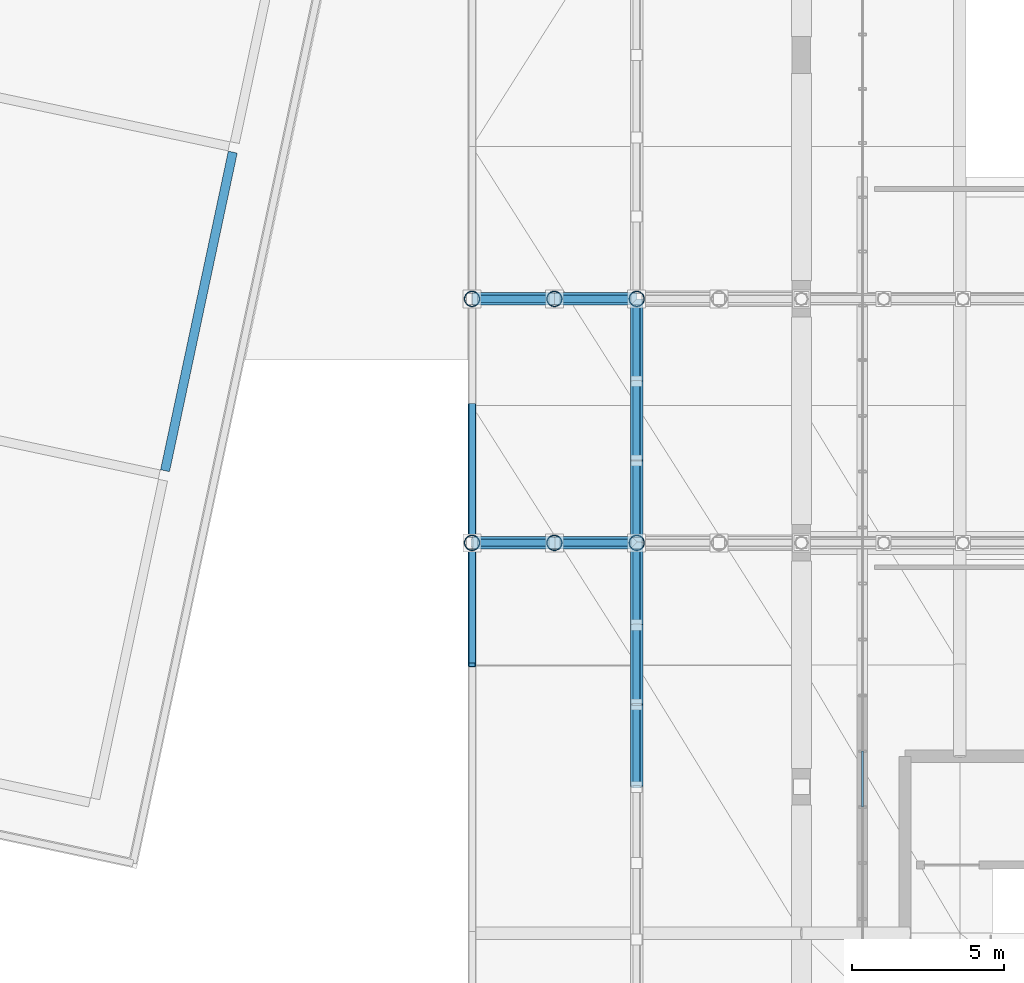
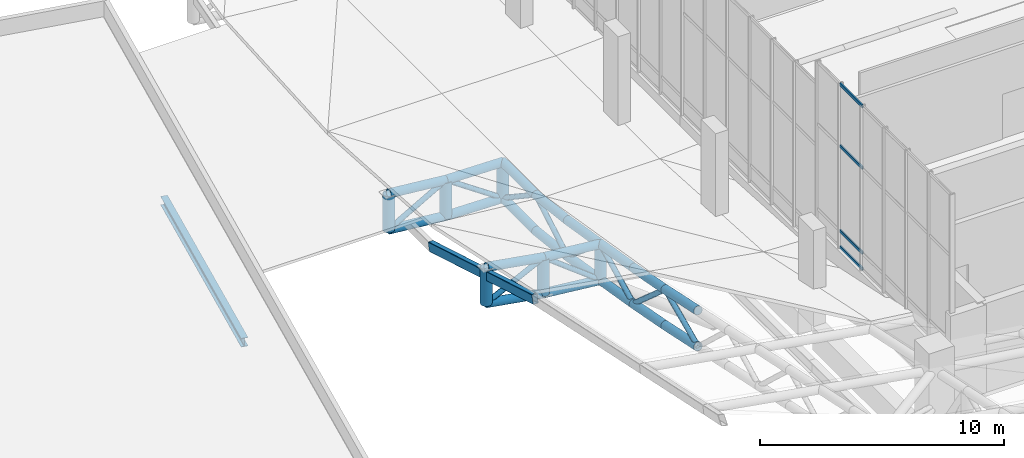
# One storey, part 14 of 137: 40 members, 2 beams, 1 element without a shape of its own.
"""IFC4 building model written with IfcOpenShell, lengths in metres."""

from ifc_helpers import new_model, si_unit, direction, frame, origin, origin_2d, place, context, subcontext, project, spatial, hollow_rectangle, hollow_circle, i_section, extrude, material, layer, layer_set, material_profile, profile_set, type_object, element, aggregate, save


model = new_model("IFC4")

# Units and contexts
model_context = context("Model", 3, precision=1e-05, world=origin(), true_north=direction((0.0, 1.0)))
body_context = subcontext(model_context, "Body", "Model", "MODEL_VIEW")
ifc_project = project(units=[si_unit("LENGTHUNIT", "METRE"), si_unit("AREAUNIT", "SQUARE_METRE"), si_unit("VOLUMEUNIT", "CUBIC_METRE"), si_unit("PLANEANGLEUNIT", "RADIAN"), si_unit("MASSUNIT", "GRAM", prefix="KILO")], contexts=[model_context])

# Site, building, storey
site_placement = place(None, origin())
site = spatial("IfcSite", under=ifc_project, at=site_placement, CompositionType="ELEMENT")
building_placement = place(site_placement, origin())
building = spatial("IfcBuilding", under=site, at=building_placement, Name="Khorjan Park Terminus", CompositionType="ELEMENT")
storey_placement = place(building_placement, frame((0.0, 0.0, 11.4)))
storey = spatial("IfcBuildingStorey", under=building, at=storey_placement, Name="L02", CompositionType="ELEMENT", Elevation=11.4)

# Beam
ifc_material_1 = material(Name="Steel S355", Category="steel")
ifc_material_profile_1 = material_profile(ifc_material_1, i_section(OverallWidth=0.3, OverallDepth=0.44, WebThickness=0.0115, FlangeThickness=0.021, FilletRadius=0.027, at=origin_2d()), Name="HEA 450")
ifc_profile_set_1 = profile_set([ifc_material_profile_1], Name="Steel S355")
beam_type_1 = type_object("IfcBeamType", Name="BM-HEA450", PredefinedType="BEAM", material=ifc_profile_set_1)
beam_1_placement = place(storey_placement, frame((27.1319, 46.3669, -0.22), z_axis=(0.20791228413, 0.978147474621, 0.0), x_axis=(-0.978147474621, 0.20791228413, 0.0)))
element("IfcBeam", 1, at=beam_1_placement, inside=storey, type_object=beam_type_1, Name="Pavilion flat roof girder SB-A45 (V2)", PredefinedType="BEAM", context=body_context, shape_type="SweptSolid", body=[
    extrude(i_section(OverallWidth=0.3, OverallDepth=0.44, WebThickness=0.0115, FlangeThickness=0.021, FilletRadius=0.027, at=origin_2d()), origin(), (0.0, 0.0, 1.0), 10.68),
])

# Members
ifc_material_profile_2 = material_profile(ifc_material_1, hollow_circle(Radius=0.1222, WallThickness=0.0125, at=origin_2d()), Name="CHS 244.5x12.5")
ifc_profile_set_2 = profile_set([ifc_material_profile_2], Name="Steel S355")
member_type_1 = type_object("IfcMemberType", Name="MB-BRE-245", PredefinedType="BRACE", material=ifc_profile_set_2)
member_1_placement = place(storey_placement, frame((37.2, 44.0, -0.342), z_axis=(0.895485989032, 0.0, 0.445089702697), x_axis=(0.0, 1.0, 0.0)))
element("IfcMember", 2, at=member_1_placement, inside=storey, type_object=member_type_1, Name="Lower shell W/E truss diagonal (W1)", PredefinedType="BRACE", context=body_context, shape_type="SweptSolid", body=[
    extrude(hollow_circle(Radius=0.1222, WallThickness=0.0125, at=origin_2d()), origin(), (0.0, 0.0, 1.0), 3.0151),
])
member_2_placement = place(storey_placement, frame((39.9, 44.0, 1.0), z_axis=(0.792655637511, 0.0, -0.609669615711), x_axis=(0.0, 1.0, 0.0)))
element("IfcMember", 3, at=member_2_placement, inside=storey, type_object=member_type_1, Name="Lower shell W/E truss diagonal (W1)", PredefinedType="BRACE", context=body_context, shape_type="SweptSolid", body=[
    extrude(hollow_circle(Radius=0.1222, WallThickness=0.0125, at=origin_2d()), origin(), (0.0, 0.0, 1.0), 3.4063),
])
member_3_placement = place(storey_placement, frame((37.2, 52.0, -1.5158), z_axis=(0.869386139688, 0.0, 0.49413332221), x_axis=(0.0, 1.0, 0.0)))
element("IfcMember", 4, at=member_3_placement, inside=storey, type_object=member_type_1, Name="Lower shell W/E truss diagonal (W2)", PredefinedType="BRACE", context=body_context, shape_type="SweptSolid", body=[
    extrude(hollow_circle(Radius=0.1222, WallThickness=0.0125, at=origin_2d()), origin(), (0.0, 0.0, 1.0), 3.1056),
])
member_4_placement = place(storey_placement, frame((39.9, 52.0, 0.0188), z_axis=(0.82538823425, 0.0, -0.564565552227), x_axis=(0.0, 1.0, 0.0)))
element("IfcMember", 5, at=member_4_placement, inside=storey, type_object=member_type_1, Name="Lower shell W/E truss diagonal (W2)", PredefinedType="BRACE", context=body_context, shape_type="SweptSolid", body=[
    extrude(hollow_circle(Radius=0.1222, WallThickness=0.0125, at=origin_2d()), origin(), (0.0, 0.0, 1.0), 3.2712),
])
member_5_placement = place(storey_placement, frame((42.6, 36.0, 0.4403), z_axis=(0.0, 0.910426516303, 0.413670833408), x_axis=(-1.0, 0.0, 0.0)))
element("IfcMember", 6, at=member_5_placement, inside=storey, type_object=member_type_1, Name="Lower shell mid-ring diagonal (W9)", PredefinedType="BRACE", context=body_context, shape_type="SweptSolid", body=[
    extrude(hollow_circle(Radius=0.1222, WallThickness=0.0125, at=origin_2d()), origin(), (0.0, 0.0, 1.0), 2.9656),
])
member_6_placement = place(storey_placement, frame((42.6, 38.7, 1.6671), z_axis=(0.0, 0.749997777608, -0.661440347713), x_axis=(-1.0, 0.0, 0.0)))
element("IfcMember", 7, at=member_6_placement, inside=storey, type_object=member_type_1, Name="Lower shell mid-ring diagonal (W10)", PredefinedType="BRACE", context=body_context, shape_type="SweptSolid", body=[
    extrude(hollow_circle(Radius=0.1222, WallThickness=0.0125, at=origin_2d()), origin(), (0.0, 0.0, 1.0), 3.4667),
])
member_7_placement = place(storey_placement, frame((42.6, 41.3, -0.6259), z_axis=(0.0, 0.894533184614, 0.447001545438), x_axis=(-1.0, 0.0, 0.0)))
element("IfcMember", 8, at=member_7_placement, inside=storey, type_object=member_type_1, Name="Lower shell mid-ring diagonal (W11)", PredefinedType="BRACE", context=body_context, shape_type="SweptSolid", body=[
    extrude(hollow_circle(Radius=0.1222, WallThickness=0.0125, at=origin_2d()), origin(), (0.0, 0.0, 1.0), 3.0183),
])
member_8_placement = place(storey_placement, frame((42.6, 44.0, 0.7233), z_axis=(0.0, 0.768109339355, -0.640318704081), x_axis=(-1.0, 0.0, 0.0)))
element("IfcMember", 9, at=member_8_placement, inside=storey, type_object=member_type_1, Name="Lower shell mid-ring diagonal (W12)", PredefinedType="BRACE", context=body_context, shape_type="SweptSolid", body=[
    extrude(hollow_circle(Radius=0.1222, WallThickness=0.0125, at=origin_2d()), origin(), (0.0, 0.0, 1.0), 3.5151),
])
member_9_placement = place(storey_placement, frame((42.6, 46.7, -1.5275), z_axis=(0.0, 0.866257685051, 0.499597461052), x_axis=(-1.0, 0.0, 0.0)))
element("IfcMember", 10, at=member_9_placement, inside=storey, type_object=member_type_1, Name="Lower shell mid-ring diagonal (W13)", PredefinedType="BRACE", context=body_context, shape_type="SweptSolid", body=[
    extrude(hollow_circle(Radius=0.1222, WallThickness=0.0125, at=origin_2d()), origin(), (0.0, 0.0, 1.0), 3.0014),
])
member_10_placement = place(storey_placement, frame((42.6, 49.3, -0.028), z_axis=(0.0, 0.832050294338, -0.554700196225), x_axis=(-1.0, 0.0, 0.0)))
element("IfcMember", 11, at=member_10_placement, inside=storey, type_object=member_type_1, Name="Lower shell mid-ring diagonal (W14)", PredefinedType="BRACE", context=body_context, shape_type="SweptSolid", body=[
    extrude(hollow_circle(Radius=0.1222, WallThickness=0.0125, at=origin_2d()), origin(), (0.0, 0.0, 1.0), 3.245),
])
ifc_material_profile_3 = material_profile(ifc_material_1, hollow_circle(Radius=0.2032, WallThickness=0.016, at=origin_2d()), Name="CHS 406.4x16")
ifc_profile_set_3 = profile_set([ifc_material_profile_3], Name="Steel S355")
member_type_2 = type_object("IfcMemberType", Name="MB-CHE-406", PredefinedType="CHORD", material=ifc_profile_set_3)
for number, where, z_axis, x_axis, name in (
    (12, (37.2, 44.0, 1.458), (0.985916115378, 0.0, -0.167240585497), (0.0, 1.0, 0.0), "Lower shell W/E truss top chord (W1)"),
    (13, (37.2, 44.0, -0.342), (0.985916115378, 0.0, -0.167240585497), (0.0, 1.0, 0.0), "Lower shell W/E truss bottom chord (W1)"),
):
    element("IfcMember", number, at=place(storey_placement, frame(where, z_axis=z_axis, x_axis=x_axis)), inside=storey, type_object=member_type_2, Name=name, PredefinedType="CHORD", context=body_context, shape_type="SweptSolid", body=[
        extrude(hollow_circle(Radius=0.2032, WallThickness=0.016, at=origin_2d()), origin(), (0.0, 0.0, 1.0), 2.7386),
    ])
for number, where, z_axis, x_axis, name in (
    (14, (39.9, 44.0, 1.0), (0.994789777339, 0.0, -0.101947530144), (0.0, 1.0, 0.0), "Lower shell W/E truss top chord (W1)"),
    (15, (39.9, 44.0, -0.8), (0.994789777339, 0.0, -0.101947530144), (0.0, 1.0, 0.0), "Lower shell W/E truss bottom chord (W1)"),
):
    element("IfcMember", number, at=place(storey_placement, frame(where, z_axis=z_axis, x_axis=x_axis)), inside=storey, type_object=member_type_2, Name=name, PredefinedType="CHORD", context=body_context, shape_type="SweptSolid", body=[
        extrude(hollow_circle(Radius=0.2032, WallThickness=0.016, at=origin_2d()), origin(), (0.0, 0.0, 1.0), 2.7141),
    ])
for number, where, z_axis, x_axis, name in (
    (16, (37.2, 52.0, 0.2842), (0.995203648559, 0.0, -0.097824832714), (0.0, 1.0, 0.0), "Lower shell W/E truss top chord (W2)"),
    (17, (37.2, 52.0, -1.5158), (0.995203648559, 0.0, -0.097824832714), (0.0, 1.0, 0.0), "Lower shell W/E truss bottom chord (W2)"),
):
    element("IfcMember", number, at=place(storey_placement, frame(where, z_axis=z_axis, x_axis=x_axis)), inside=storey, type_object=member_type_2, Name=name, PredefinedType="CHORD", context=body_context, shape_type="SweptSolid", body=[
        extrude(hollow_circle(Radius=0.2032, WallThickness=0.016, at=origin_2d()), origin(), (0.0, 0.0, 1.0), 2.713),
    ])
for number, where, z_axis, x_axis, name in (
    (18, (39.9, 52.0, 0.0188), (0.999849811619, 0.0, -0.017330730068), (0.0, 1.0, 0.0), "Lower shell W/E truss top chord (W2)"),
    (19, (39.9, 52.0, -1.7812), (0.999849811619, 0.0, -0.017330730068), (0.0, 1.0, 0.0), "Lower shell W/E truss bottom chord (W2)"),
):
    element("IfcMember", number, at=place(storey_placement, frame(where, z_axis=z_axis, x_axis=x_axis)), inside=storey, type_object=member_type_2, Name=name, PredefinedType="CHORD", context=body_context, shape_type="SweptSolid", body=[
        extrude(hollow_circle(Radius=0.2032, WallThickness=0.016, at=origin_2d()), origin(), (0.0, 0.0, 1.0), 2.7004),
    ])
for number, where, z_axis, x_axis, name in (
    (20, (42.6, 36.0, 2.2403), (0.0, 0.978199346233, -0.207668098245), (-1.0, 0.0, 0.0), "Lower shell mid-ring top chord (W9)"),
    (21, (42.6, 36.0, 0.4403), (0.0, 0.978199346233, -0.207668098245), (-1.0, 0.0, 0.0), "Lower shell mid-ring bottom chord (W9)"),
):
    element("IfcMember", number, at=place(storey_placement, frame(where, z_axis=z_axis, x_axis=x_axis)), inside=storey, type_object=member_type_2, Name=name, PredefinedType="CHORD", context=body_context, shape_type="SweptSolid", body=[
        extrude(hollow_circle(Radius=0.2032, WallThickness=0.016, at=origin_2d()), origin(), (0.0, 0.0, 1.0), 2.7602),
    ])
for number, where, z_axis, x_axis, name in (
    (22, (42.6, 38.7, 1.6671), (0.0, 0.982493680031, -0.186295917021), (-1.0, 0.0, 0.0), "Lower shell mid-ring top chord (W10)"),
    (23, (42.6, 38.7, -0.1329), (0.0, 0.982493680031, -0.186295917021), (-1.0, 0.0, 0.0), "Lower shell mid-ring bottom chord (W10)"),
):
    element("IfcMember", number, at=place(storey_placement, frame(where, z_axis=z_axis, x_axis=x_axis)), inside=storey, type_object=member_type_2, Name=name, PredefinedType="CHORD", context=body_context, shape_type="SweptSolid", body=[
        extrude(hollow_circle(Radius=0.2032, WallThickness=0.016, at=origin_2d()), origin(), (0.0, 0.0, 1.0), 2.6463),
    ])
for number, where, z_axis, x_axis, name in (
    (24, (42.6, 41.3, 1.1741), (0.0, 0.986346490823, -0.164683332616), (-1.0, 0.0, 0.0), "Lower shell mid-ring top chord (W11)"),
    (25, (42.6, 41.3, -0.6259), (0.0, 0.986346490823, -0.164683332616), (-1.0, 0.0, 0.0), "Lower shell mid-ring bottom chord (W11)"),
    (26, (42.6, 44.0, 0.7233), (0.0, 0.986346490823, -0.164683332616), (-1.0, 0.0, 0.0), "Lower shell mid-ring top chord (W12)"),
    (27, (42.6, 44.0, -1.0767), (0.0, 0.986346490823, -0.164683332616), (-1.0, 0.0, 0.0), "Lower shell mid-ring bottom chord (W12)"),
):
    element("IfcMember", number, at=place(storey_placement, frame(where, z_axis=z_axis, x_axis=x_axis)), inside=storey, type_object=member_type_2, Name=name, PredefinedType="CHORD", context=body_context, shape_type="SweptSolid", body=[
        extrude(hollow_circle(Radius=0.2032, WallThickness=0.016, at=origin_2d()), origin(), (0.0, 0.0, 1.0), 2.7374),
    ])
for number, where, z_axis, x_axis, name in (
    (28, (42.6, 46.7, 0.2725), (0.0, 0.993387164979, -0.114812631952), (-1.0, 0.0, 0.0), "Lower shell mid-ring top chord (W13)"),
    (29, (42.6, 46.7, -1.5275), (0.0, 0.993387164979, -0.114812631952), (-1.0, 0.0, 0.0), "Lower shell mid-ring bottom chord (W13)"),
):
    element("IfcMember", number, at=place(storey_placement, frame(where, z_axis=z_axis, x_axis=x_axis)), inside=storey, type_object=member_type_2, Name=name, PredefinedType="CHORD", context=body_context, shape_type="SweptSolid", body=[
        extrude(hollow_circle(Radius=0.2032, WallThickness=0.016, at=origin_2d()), origin(), (0.0, 0.0, 1.0), 2.6173),
    ])
for number, where, z_axis, x_axis, name in (
    (30, (42.6, 49.3, -0.028), (0.0, 1.0, 0.0), (-1.0, 0.0, 0.0), "Lower shell mid-ring top chord (W14)"),
    (31, (42.6, 49.3, -1.828), (0.0, 1.0, 0.0), (-1.0, 0.0, 0.0), "Lower shell mid-ring bottom chord (W14)"),
):
    element("IfcMember", number, at=place(storey_placement, frame(where, z_axis=z_axis, x_axis=x_axis)), inside=storey, type_object=member_type_2, Name=name, PredefinedType="CHORD", context=body_context, shape_type="SweptSolid", body=[
        extrude(hollow_circle(Radius=0.2032, WallThickness=0.016, at=origin_2d()), origin(), (0.0, 0.0, 1.0), 2.7),
    ])
ifc_material_profile_4 = material_profile(ifc_material_1, hollow_circle(Radius=0.254, WallThickness=0.02, at=origin_2d()), Name="CHS 508x20")
ifc_profile_set_4 = profile_set([ifc_material_profile_4], Name="Steel S355")
member_type_3 = type_object("IfcMemberType", Name="MB-STE-508", PredefinedType="STRUT", material=ifc_profile_set_4)
for number, where, z_axis, x_axis, name in (
    (32, (37.2, 44.0, -0.342), (0.0, 0.0, 1.0), (1.0, 0.0, 0.0), "Lower shell W/E truss post (W1)"),
    (33, (39.9, 44.0, -0.8), (0.0, 0.0, 1.0), (1.0, 0.0, 0.0), "Lower shell W/E truss post (W1)"),
    (34, (42.6, 44.0, -1.0767), (0.0, 0.0, 1.0), (1.0, 0.0, 0.0), "Lower shell W/E truss post (W1)"),
    (35, (37.2, 52.0, -1.5158), (0.0, 0.0, 1.0), (1.0, 0.0, 0.0), "Lower shell W/E truss post (W2)"),
    (36, (39.9, 52.0, -1.7812), (0.0, 0.0, 1.0), (1.0, 0.0, 0.0), "Lower shell W/E truss post (W2)"),
    (37, (42.6, 52.0, -1.828), (0.0, 0.0, 1.0), (1.0, 0.0, 0.0), "Lower shell W/E truss post (W2)"),
):
    element("IfcMember", number, at=place(storey_placement, frame(where, z_axis=z_axis, x_axis=x_axis)), inside=storey, type_object=member_type_3, Name=name, PredefinedType="STRUT", context=body_context, shape_type="SweptSolid", body=[
        extrude(hollow_circle(Radius=0.254, WallThickness=0.02, at=origin_2d()), origin(), (0.0, 0.0, 1.0), 1.8),
    ])

# Beam
ifc_material_profile_5 = material_profile(ifc_material_1, hollow_rectangle(XDim=0.25, YDim=0.45, WallThickness=0.016, InnerFilletRadius=0.016, OuterFilletRadius=0.032, at=origin_2d()), Name="RHS 450x250x16")
ifc_profile_set_5 = profile_set([ifc_material_profile_5], Name="Steel S355")
beam_type_2 = type_object("IfcBeamType", Name="SP-RHS450", PredefinedType="SPANDREL", material=ifc_profile_set_5)
beam_2_placement = place(storey_placement, frame((37.2, 40.0, 2.2852), z_axis=(0.0, 0.959053377189, -0.283225386755), x_axis=(-1.0, 0.0, 0.0)))
element("IfcBeam", 38, at=beam_2_placement, inside=storey, type_object=beam_type_2, Name="Lower wrapping shell upturned edge beam SP-R45 (37)", PredefinedType="SPANDREL", context=body_context, shape_type="SweptSolid", body=[
    extrude(hollow_rectangle(XDim=0.25, YDim=0.45, WallThickness=0.016, InnerFilletRadius=0.016, OuterFilletRadius=0.032, at=origin_2d()), origin(), (0.0, 0.0, 1.0), 8.8629),
])

# Curtain wall, members
ifc_material_2 = material(Name="Anodized Bronze Aluminium", Category="aluminium")
ifc_layer = layer(ifc_material_2, 0.22)
ifc_layer_set = layer_set([ifc_layer], Name="Anodized Bronze Aluminium")
curtain_wall_type = type_object("IfcCurtainWallType", Name="CW-CONC-CLR", PredefinedType="NOTDEFINED", material=ifc_layer_set)
curtain_wall_placement = place(storey_placement, origin())
curtain_wall = element("IfcCurtainWall", 39, at=curtain_wall_placement, inside=storey, type_object=curtain_wall_type, Name="Unitized curtain wall CW-CL (CW-V2-W-CLR-01)", PredefinedType="NOTDEFINED")
ifc_material_profile_6 = material_profile(ifc_material_2, hollow_rectangle(XDim=0.07, YDim=0.16, WallThickness=0.004, InnerFilletRadius=0.004, OuterFilletRadius=0.008, at=origin_2d()), Name="ALT 70x160x4")
ifc_profile_set_6 = profile_set([ifc_material_profile_6], Name="Anodized Bronze Aluminium")
member_type_4 = type_object("IfcMemberType", Name="TR-ALT-160", PredefinedType="USERDEFINED", material=ifc_profile_set_6)
member_11_placement = place(storey_placement, frame((50.0, 37.1667, 2.131), z_axis=(0.0, -1.0, 0.0), x_axis=(1.0, 0.0, 0.0)))
member_11 = element("IfcMember", 40, at=member_11_placement, type_object=member_type_4, Name="Curtain-wall transom TR-16 (CW-V2-W-CLR-01-1-1)", ObjectType="TRANSOM", PredefinedType="USERDEFINED", context=body_context, shape_type="SweptSolid", body=[
    extrude(hollow_rectangle(XDim=0.07, YDim=0.16, WallThickness=0.004, InnerFilletRadius=0.004, OuterFilletRadius=0.008, at=origin_2d()), origin(), (0.0, 0.0, 1.0), 1.8334),
])
member_12_placement = place(storey_placement, frame((50.0, 37.1667, 2.941), z_axis=(0.0, -1.0, 0.0), x_axis=(1.0, 0.0, 0.0)))
member_12 = element("IfcMember", 41, at=member_12_placement, type_object=member_type_4, Name="Curtain-wall transom TR-16 (CW-V2-W-CLR-01-1-2)", ObjectType="TRANSOM", PredefinedType="USERDEFINED", context=body_context, shape_type="SweptSolid", body=[
    extrude(hollow_rectangle(XDim=0.07, YDim=0.16, WallThickness=0.004, InnerFilletRadius=0.004, OuterFilletRadius=0.008, at=origin_2d()), origin(), (0.0, 0.0, 1.0), 1.8334),
])
member_13_placement = place(storey_placement, frame((50.0, 37.1667, 7.1814), z_axis=(0.0, -1.0, 0.0), x_axis=(1.0, 0.0, 0.0)))
member_13 = element("IfcMember", 42, at=member_13_placement, type_object=member_type_4, Name="Curtain-wall transom TR-16 (CW-V2-W-CLR-01-1-3)", ObjectType="TRANSOM", PredefinedType="USERDEFINED", context=body_context, shape_type="SweptSolid", body=[
    extrude(hollow_rectangle(XDim=0.07, YDim=0.16, WallThickness=0.004, InnerFilletRadius=0.004, OuterFilletRadius=0.008, at=origin_2d()), origin(), (0.0, 0.0, 1.0), 1.8334),
])
member_14_placement = place(storey_placement, frame((50.0, 37.1667, 10.2613), z_axis=(0.0, -1.0, 0.0), x_axis=(1.0, 0.0, 0.0)))
member_14 = element("IfcMember", 43, at=member_14_placement, type_object=member_type_4, Name="Curtain-wall transom TR-16 (CW-V2-W-CLR-01-1-4)", ObjectType="TRANSOM", PredefinedType="USERDEFINED", context=body_context, shape_type="SweptSolid", body=[
    extrude(hollow_rectangle(XDim=0.07, YDim=0.16, WallThickness=0.004, InnerFilletRadius=0.004, OuterFilletRadius=0.008, at=origin_2d()), origin(), (0.0, 0.0, 1.0), 1.8334),
])
aggregate(curtain_wall, [member_11, member_12, member_13, member_14])

save(model, "model.ifc")
